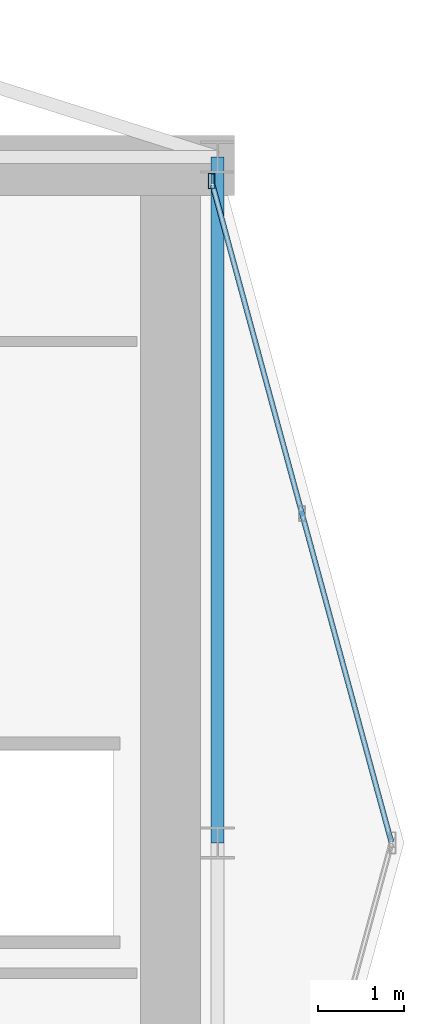
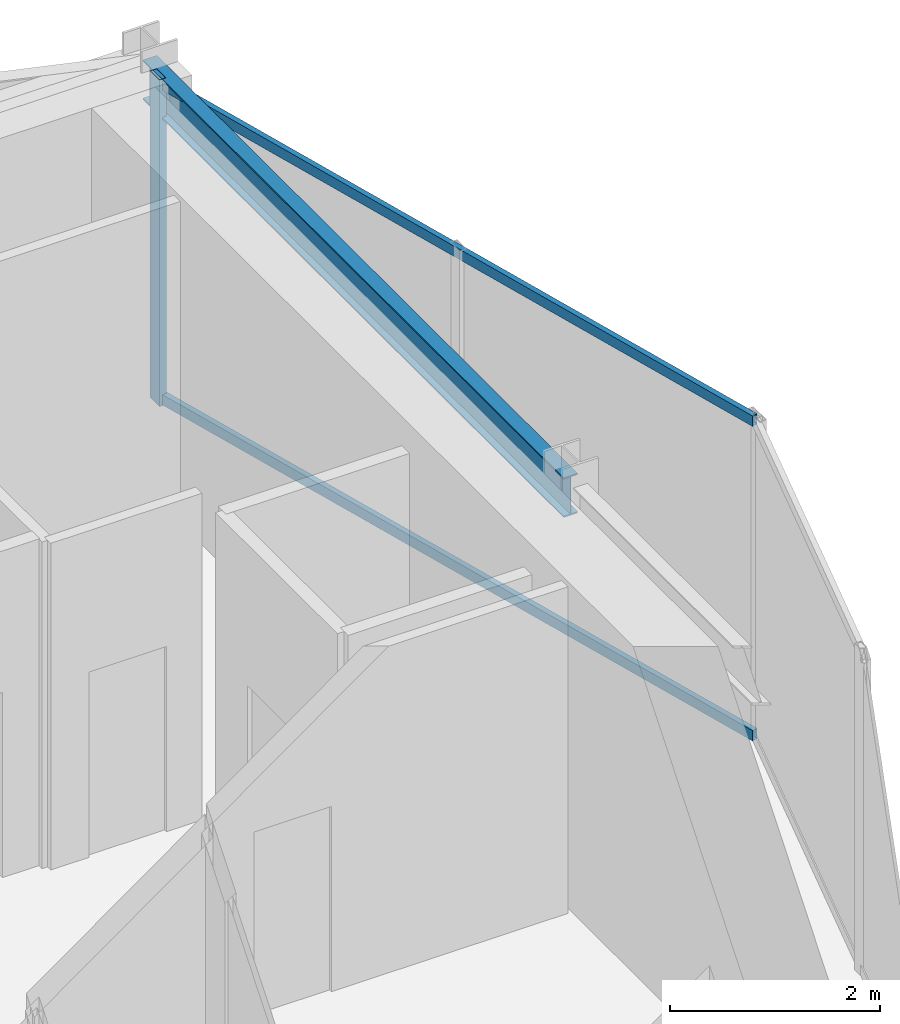
# One storey, part 15 of 21: 3 members, 1 beam, 1 element without a shape of its own.
"""IFC4 building model written with IfcOpenShell, lengths in metres."""

from ifc_helpers import new_model, si_unit, direction, frame, origin, origin_2d, place, context, subcontext, project, spatial, hollow_rectangle, i_section, extrude, material, layer, layer_set, material_profile, profile_set, type_object, element, aggregate, save


model = new_model("IFC4")

# Units and contexts
model_context = context("Model", 3, precision=1e-05, world=origin(), true_north=direction((0.0, 1.0)))
body_context = subcontext(model_context, "Body", "Model", "MODEL_VIEW")
ifc_project = project(units=[si_unit("LENGTHUNIT", "METRE"), si_unit("AREAUNIT", "SQUARE_METRE"), si_unit("VOLUMEUNIT", "CUBIC_METRE"), si_unit("PLANEANGLEUNIT", "RADIAN"), si_unit("MASSUNIT", "GRAM", prefix="KILO")], contexts=[model_context])

# Site, building, storey
site_placement = place(None, origin())
site = spatial("IfcSite", under=ifc_project, at=site_placement, CompositionType="ELEMENT")
building_placement = place(site_placement, origin())
building = spatial("IfcBuilding", under=site, at=building_placement, Name="Veymaron Broadcast Tower", CompositionType="ELEMENT")
storey_placement = place(building_placement, frame((0.0, 0.0, 244.5)))
storey = spatial("IfcBuildingStorey", under=building, at=storey_placement, Name="L57", CompositionType="ELEMENT", Elevation=244.5)

# Beam
ifc_material_1 = material(Name="Structural steel ASTM A992 Gr 50", Category="steel")
ifc_material_profile_1 = material_profile(ifc_material_1, i_section(OverallWidth=0.154052734375, OverallDepth=0.458984375, WebThickness=0.009033203125, FlangeThickness=0.015380859375, at=origin_2d()), Name="W460X68")
ifc_profile_set_1 = profile_set([ifc_material_profile_1], Name="Structural steel ASTM A992 Gr 50")
beam_type = type_object("IfcBeamType", Name="BM-SP2", PredefinedType="SPANDREL", material=ifc_profile_set_1)
beam_placement = place(storey_placement, frame((54.60009765625, 24.0, 3.560546875), z_axis=(0.0, 1.0, 0.0), x_axis=(-1.0, 0.0, 0.0)))
element("IfcBeam", 1, at=beam_placement, inside=storey, type_object=beam_type, Name="L57 primary structural floor girder", PredefinedType="SPANDREL", context=body_context, shape_type="SweptSolid", body=[
    extrude(i_section(OverallWidth=0.154052734375, OverallDepth=0.458984375, WebThickness=0.009033203125, FlangeThickness=0.015380859375, at=origin_2d()), origin(), (0.0, 0.0, 1.0), 8.0),
])

# Curtain wall, members
ifc_material_2 = material(Name="Anodised aluminium AA 6063-T6 and laminated low-E dark glass", Category="aluminium")
ifc_layer = layer(ifc_material_2, 0.179931640625)
ifc_layer_set = layer_set([ifc_layer], Name="Anodised aluminium AA 6063-T6 and laminated low-E dark glass")
curtain_wall_type = type_object("IfcCurtainWallType", Name="CW-SYS-05", PredefinedType="NOTDEFINED", material=ifc_layer_set)
curtain_wall_placement = place(storey_placement, origin())
curtain_wall = element("IfcCurtainWall", 2, at=curtain_wall_placement, inside=storey, type_object=curtain_wall_type, Name="L57 dark-glass curtain wall CW-L57-E3-1", PredefinedType="NOTDEFINED")
ifc_material_3 = material(Name="Anodised aluminium AA 6063-T6", Category="aluminium")
ifc_material_profile_2 = material_profile(ifc_material_3, hollow_rectangle(XDim=0.074951171875, YDim=0.179931640625, WallThickness=0.0048828125, at=origin_2d()), Name="AL180X75X5")
ifc_profile_set_2 = profile_set([ifc_material_profile_2], Name="Anodised aluminium AA 6063-T6")
member_type_1 = type_object("IfcMemberType", Name="CW-MUL-02", PredefinedType="MULLION", material=ifc_profile_set_2)
member_1_placement = place(storey_placement, frame((54.53076171875, 31.721435546875, 0.0), z_axis=(0.0, 0.0, 1.0), x_axis=(1.0, 0.0, 0.0)))
member_1 = element("IfcMember", 3, at=member_1_placement, type_object=member_type_1, Name="CW-L57-E3-1 mullion 2", PredefinedType="MULLION", context=body_context, shape_type="SweptSolid", body=[
    extrude(hollow_rectangle(XDim=0.074951171875, YDim=0.179931640625, WallThickness=0.0048828125, at=origin_2d()), origin(), (0.0, 0.0, 1.0), 3.7900390625),
])
ifc_material_profile_3 = material_profile(ifc_material_3, hollow_rectangle(XDim=0.06005859375, YDim=0.1201171875, WallThickness=0.00390625, at=origin_2d()), Name="AL120X60X4")
ifc_profile_set_3 = profile_set([ifc_material_profile_3], Name="Anodised aluminium AA 6063-T6")
member_type_2 = type_object("IfcMemberType", Name="CW-TRN-02", PredefinedType="USERDEFINED", material=ifc_profile_set_3)
member_2_placement = place(storey_placement, frame((56.62744140625, 24.011474609375, 0.070068359375), z_axis=(-0.262438272271, 0.964948782707, 0.0), x_axis=(-0.964948782707, -0.262438272271, 0.0)))
member_2 = element("IfcMember", 4, at=member_2_placement, type_object=member_type_2, Name="CW-L57-E3-1 transom B", ObjectType="TRANSOM", PredefinedType="USERDEFINED", context=body_context, shape_type="SweptSolid", body=[
    extrude(hollow_rectangle(XDim=0.06005859375, YDim=0.1201171875, WallThickness=0.00390625, at=origin_2d()), origin(), (0.0, 0.0, 1.0), 7.93994140625),
])
member_3_placement = place(storey_placement, frame((56.62744140625, 24.011474609375, 3.719970703125), z_axis=(-0.262438272271, 0.964948782707, 0.0), x_axis=(-0.964948782707, -0.262438272271, 0.0)))
member_3 = element("IfcMember", 5, at=member_3_placement, type_object=member_type_2, Name="CW-L57-E3-1 transom T", ObjectType="TRANSOM", PredefinedType="USERDEFINED", context=body_context, shape_type="SweptSolid", body=[
    extrude(hollow_rectangle(XDim=0.06005859375, YDim=0.1201171875, WallThickness=0.00390625, at=origin_2d()), origin(), (0.0, 0.0, 1.0), 7.93994140625),
])
aggregate(curtain_wall, [member_1, member_2, member_3])

save(model, "model.ifc")
